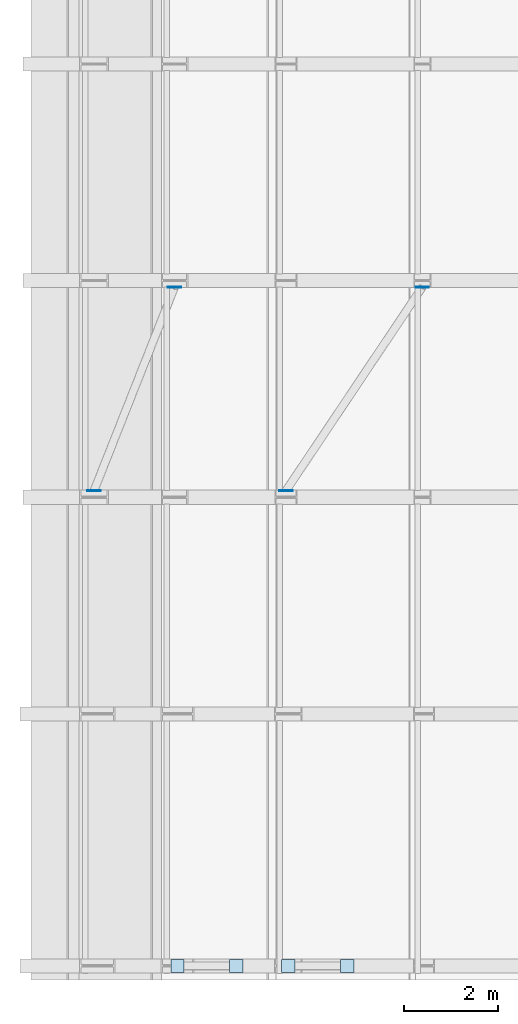
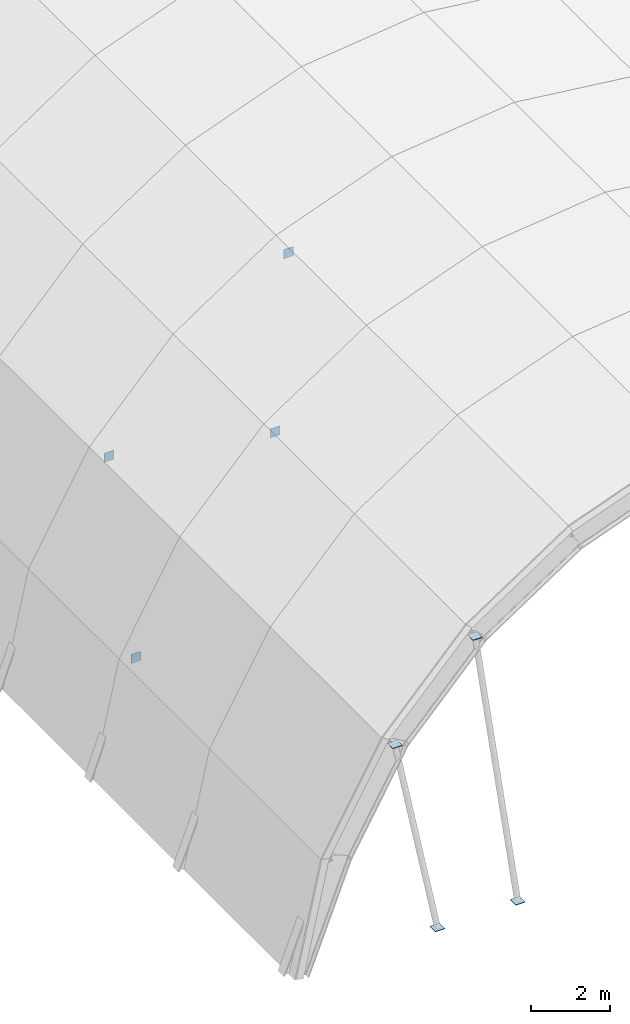
# One storey, part 26 of 47: 8 plates.
"""IFC4 building model written with IfcOpenShell, lengths in metres."""

import ifcopenshell
import ifcopenshell.guid

model = None  # the IFC model being written
_history = None  # IfcOwnerHistory: only IFC2X3 demands one
_inside = {}  # id of a spatial element -> (the spatial element, [elements in it])
_under = {}  # id of a project, library or spatial element -> (it, [spatial elements below it])
_declared = {}  # id of a project -> (the project, [libraries it declares])
_typed = {}  # id of a type object -> (the type object, [elements of that type])
_made_of = {}  # id of a material, layer set ... -> (it, [elements and type objects made of it])


def new_model(schema):
    """Start an empty IFC model of exactly this schema.

    Asked for "IFC4X3", IfcOpenShell would pick the latest addendum, in which some entities
    have other attributes; the version numbers below select the first issue.
    IFC2X3 requires an IfcOwnerHistory on every rooted entity: one is made here for all.
    """
    global model, _history
    if schema == "IFC4X3":
        model = ifcopenshell.file(schema_version=(4, 3, 0, 0))
    else:
        model = ifcopenshell.file(schema=schema)
    _inside.clear()
    _under.clear()
    _declared.clear()
    _typed.clear()
    _made_of.clear()
    _history = None
    if model.schema == "IFC2X3":
        org = make("IfcOrganization", Name="unknown")
        user = make(
            "IfcPersonAndOrganization",
            ThePerson=make("IfcPerson", FamilyName="unknown"),
            TheOrganization=org,
        )
        app = make(
            "IfcApplication",
            ApplicationDeveloper=org,
            Version="unknown",
            ApplicationFullName="unknown",
            ApplicationIdentifier="unknown",
        )
        _history = make(
            "IfcOwnerHistory",
            OwningUser=user,
            OwningApplication=app,
            ChangeAction="ADDED",
            CreationDate=0,
        )
    return model


def make(cls, **values):
    """One entity of the class cls with the attributes given. An attribute that is None is left unset."""
    return model.create_entity(
        cls, **{name: value for name, value in values.items() if value is not None}
    )


def rooted(cls, **values):
    """An entity with a GlobalId (a new one), such as an element, a storey or a relation."""
    return make(cls, GlobalId=ifcopenshell.guid.new(), OwnerHistory=_history, **values)


def si_unit(unit_type, name, prefix=None):
    """IfcSIUnit, for example si_unit("LENGTHUNIT", "METRE", prefix="MILLI")."""
    return make("IfcSIUnit", UnitType=unit_type, Prefix=prefix, Name=name)


def assignment(units):
    """IfcUnitAssignment: the units of a project."""
    return None if units is None else make("IfcUnitAssignment", Units=units)


def point(xyz):
    """IfcCartesianPoint."""
    return None if xyz is None else make("IfcCartesianPoint", Coordinates=xyz)


def direction(xyz):
    """IfcDirection."""
    return None if xyz is None else make("IfcDirection", DirectionRatios=xyz)


def frame(location, z_axis=None, x_axis=None):
    """IfcAxis2Placement3D, a coordinate frame: its origin and axes. An axis left out is left unset."""
    return make(
        "IfcAxis2Placement3D",
        Location=point(location),
        Axis=direction(z_axis),
        RefDirection=direction(x_axis),
    )


def frame_2d(location, x_axis=None):
    """IfcAxis2Placement2D, a coordinate frame in the plane: its origin and x axis."""
    return make(
        "IfcAxis2Placement2D", Location=point(location), RefDirection=direction(x_axis)
    )


def origin():
    """The frame at (0, 0, 0) with its axes left unset."""
    return frame((0.0, 0.0, 0.0))


def origin_2d():
    """The frame at (0, 0) in the plane with its x axis left unset."""
    return frame_2d((0.0, 0.0))


def place(relative_to, where):
    """IfcLocalPlacement: puts the frame where relative to a parent placement (None: the world)."""
    return make(
        "IfcLocalPlacement", PlacementRelTo=relative_to, RelativePlacement=where
    )


def context(
    kind, dimensions, precision=None, world=None, true_north=None, identifier=None
):
    """IfcGeometricRepresentationContext, for example the 3D "Model" context."""
    return make(
        "IfcGeometricRepresentationContext",
        ContextIdentifier=identifier,
        ContextType=kind,
        CoordinateSpaceDimension=dimensions,
        Precision=precision,
        WorldCoordinateSystem=world,
        TrueNorth=true_north,
    )


def subcontext(parent, identifier, kind, view, scale=None):
    """IfcGeometricRepresentationSubContext, for example "Body" below "Model"."""
    return make(
        "IfcGeometricRepresentationSubContext",
        ContextIdentifier=identifier,
        ContextType=kind,
        ParentContext=parent,
        TargetScale=scale,
        TargetView=view,
    )


def project(units=None, contexts=None):
    """IfcProject with its units and contexts."""
    return rooted(
        "IfcProject",
        Name="project",
        RepresentationContexts=contexts,
        UnitsInContext=assignment(units),
    )


def spatial(cls, under=None, at=None, **own):
    """A site, building, storey or space (cls), placed at a placement, below another one or the project."""
    s = rooted(cls, ObjectPlacement=at, **own)
    if under is not None:
        _under.setdefault(under.id(), (under, []))[1].append(s)
    return s


def profile(cls, at=None, kind="AREA", **sizes):
    """A parametric profile (cls). Its sizes go by their IFC names, for example OverallWidth=200.0."""
    return make(cls, ProfileType=kind, Position=at, **sizes)


def rectangle(**sizes):
    """IfcRectangleProfileDef."""
    return profile("IfcRectangleProfileDef", **sizes)


def extrude(swept, where, along, depth):
    """IfcExtrudedAreaSolid: the profile swept, set in the frame where, extruded along a direction by depth."""
    return make(
        "IfcExtrudedAreaSolid",
        SweptArea=swept,
        Position=where,
        ExtrudedDirection=direction(along),
        Depth=depth,
    )


def shape(context_of_items, identifier, shape_type, items):
    """IfcShapeRepresentation: the items that make up one representation, for example the "Body"."""
    return make(
        "IfcShapeRepresentation",
        ContextOfItems=context_of_items,
        RepresentationIdentifier=identifier,
        RepresentationType=shape_type,
        Items=items,
    )


def material(Name=None, Category=None):
    """IfcMaterial."""
    return make("IfcMaterial", Name=Name, Category=Category)


def layer(
    of_material, thickness, ventilated=None, Name=None, Category=None, Priority=None
):
    """IfcMaterialLayer: one layer of a wall or slab, of a material (None: an air gap)."""
    return make(
        "IfcMaterialLayer",
        Material=of_material,
        LayerThickness=thickness,
        IsVentilated=ventilated,
        Name=Name,
        Category=Category,
        Priority=Priority,
    )


def layer_set(layers, Name=None):
    """IfcMaterialLayerSet."""
    return make("IfcMaterialLayerSet", MaterialLayers=layers, LayerSetName=Name)


def made_of(thing, what):
    """Note that an element or type object is made of a material, layer set ...; save() writes the relation."""
    if what is not None:
        _made_of.setdefault(what.id(), (what, []))[1].append(thing)
    return thing


def type_object(cls, material=None, **own):
    """A type object (cls), such as IfcWallType, which elements share."""
    return made_of(rooted(cls, **own), material)


def element(
    cls,
    number,
    at=None,
    inside=None,
    cuts=None,
    type_object=None,
    material=None,
    context=None,
    identifier="Body",
    shape_type=None,
    held_by="IfcProductDefinitionShape",
    body=None,
    shapes=None,
    **own,
):
    """One element of the class cls, such as IfcWall. Its Tag is "e" and its number.

    at: its placement. inside: the storey or other place that contains it. cuts: it is an
    opening in that element (IfcRelVoidsElement). A single representation is given by context,
    identifier, shape_type and body (its items); several are given by shapes. held_by: the class
    of the entity that holds the representations. save() writes the other relations.
    """
    e = rooted(cls, Tag="e%d" % number, ObjectPlacement=at, **own)
    if body is not None:
        shapes = [shape(context, identifier, shape_type, body)]
    if shapes is not None:
        e.Representation = make(held_by, Representations=shapes)
    if inside is not None:
        _inside.setdefault(inside.id(), (inside, []))[1].append(e)
    if cuts is not None:
        rooted(
            "IfcRelVoidsElement", RelatingBuildingElement=cuts, RelatedOpeningElement=e
        )
    if type_object is not None:
        _typed.setdefault(type_object.id(), (type_object, []))[1].append(e)
    return made_of(e, material)


def aggregate(whole, parts):
    """IfcRelAggregates: a whole, such as a stair, and the parts it consists of."""
    return rooted("IfcRelAggregates", RelatingObject=whole, RelatedObjects=parts)


def save(model, path):
    """Write the relations noted so far, then the file.

    IfcRelAggregates (storeys below a building ...), IfcRelContainedInSpatialStructure (elements
    in a storey), IfcRelDefinesByType, IfcRelAssociatesMaterial and IfcRelDeclares: one each for
    every whole, place, type object, material and project.
    """
    for whole, parts in _under.values():
        aggregate(whole, parts)
    for where, things in _inside.values():
        rooted(
            "IfcRelContainedInSpatialStructure",
            RelatedElements=things,
            RelatingStructure=where,
        )
    for kind, things in _typed.values():
        rooted("IfcRelDefinesByType", RelatedObjects=things, RelatingType=kind)
    for what, things in _made_of.values():
        rooted("IfcRelAssociatesMaterial", RelatedObjects=things, RelatingMaterial=what)
    for by, libraries in _declared.values():
        rooted("IfcRelDeclares", RelatingContext=by, RelatedDefinitions=libraries)
    model.write(path)


model = new_model("IFC4")

# Units and contexts
model_context = context("Model", 3, precision=1e-05, world=origin(), true_north=direction((0.0, 1.0)))
body_context = subcontext(model_context, "Body", "Model", "MODEL_VIEW")
ifc_project = project(units=[si_unit("LENGTHUNIT", "METRE"), si_unit("AREAUNIT", "SQUARE_METRE"), si_unit("VOLUMEUNIT", "CUBIC_METRE"), si_unit("PLANEANGLEUNIT", "RADIAN"), si_unit("MASSUNIT", "GRAM", prefix="KILO")], contexts=[model_context])

# Site, building, storey
site_placement = place(None, origin())
site = spatial("IfcSite", under=ifc_project, at=site_placement, CompositionType="ELEMENT")
building_placement = place(site_placement, origin())
building = spatial("IfcBuilding", under=site, at=building_placement, Name="Muzn Square Opera House", CompositionType="ELEMENT")
storey_placement = place(building_placement, frame((0.0, 0.0, 31.0)))
storey = spatial("IfcBuildingStorey", under=building, at=storey_placement, Name="RF-1", CompositionType="ELEMENT", Elevation=31.0)

# Plates
ifc_material = material(Name="Steel S355", Category="steel")
ifc_layer = layer(ifc_material, 0.01806640625, Name="Steel S355", Category="steel")
ifc_layer_set = layer_set([ifc_layer], Name="Steel S355")
plate_type = type_object("IfcPlateType", Name="Brace Cap Plate 18mm 280x280", PredefinedType="USERDEFINED", material=ifc_layer_set)
for number, where, z_axis, x_axis, name in (
    (1, (47.33984375, 21.25, -12.589111328125), (0.0, 0.0, 1.0), (1.0, 0.0, 0.0), "Exposed Gable Truss Gusset V1-W01-A"),
    (2, (46.08984375, 21.25, -6.470703125), (0.0, 0.0, 1.0), (1.0, 0.0, 0.0), "Exposed Gable Truss Gusset V1-W01-B"),
    (3, (49.694091796875, 21.25, -12.589111328125), (0.0, 0.0, 1.0), (1.0, 0.0, 0.0), "Exposed Gable Truss Gusset V1-W02-A"),
    (4, (48.444091796875, 21.25, -3.939697265625), (0.0, 0.0, 1.0), (1.0, 0.0, 0.0), "Exposed Gable Truss Gusset V1-W02-B"),
):
    element("IfcPlate", number, at=place(storey_placement, frame(where, z_axis=z_axis, x_axis=x_axis)), inside=storey, type_object=plate_type, Name=name, ObjectType="GUSSET PLATE", PredefinedType="USERDEFINED", context=body_context, shape_type="SweptSolid", body=[
        extrude(rectangle(XDim=0.280029296875, YDim=0.280029296875, at=origin_2d()), origin(), (0.0, 0.0, 1.0), 0.01806640625),
    ])
for number, where, z_axis, x_axis, name in (
    (5, (44.319580078125, 31.340087890625, -9.40185546875), (0.0, 0.0, 1.0), (1.0, 0.0, 0.0), "Vault Wind Brace End Cap Plate V1-02-04-A"),
    (6, (46.029296875, 35.659912109375, -6.37744140625), (0.0, 0.0, 1.0), (1.0, 0.0, 0.0), "Vault Wind Brace End Cap Plate V1-02-04-B"),
    (7, (48.3955078125, 31.340087890625, -3.83349609375), (0.0, 0.0, 1.0), (1.0, 0.0, 0.0), "Vault Wind Brace End Cap Plate V1-02-08-A"),
    (8, (51.28857421875, 35.659912109375, -1.90966796875), (0.0, 0.0, 1.0), (1.0, 0.0, 0.0), "Vault Wind Brace End Cap Plate V1-02-08-B"),
):
    element("IfcPlate", number, at=place(storey_placement, frame(where, z_axis=z_axis, x_axis=x_axis)), inside=storey, type_object=plate_type, Name=name, ObjectType="GUSSET PLATE", PredefinedType="USERDEFINED", context=body_context, shape_type="SweptSolid", body=[
        extrude(rectangle(XDim=0.280029296875, YDim=0.01806640625, at=origin_2d()), origin(), (0.0, 0.0, 1.0), 0.280029296875),
    ])

save(model, "model.ifc")
